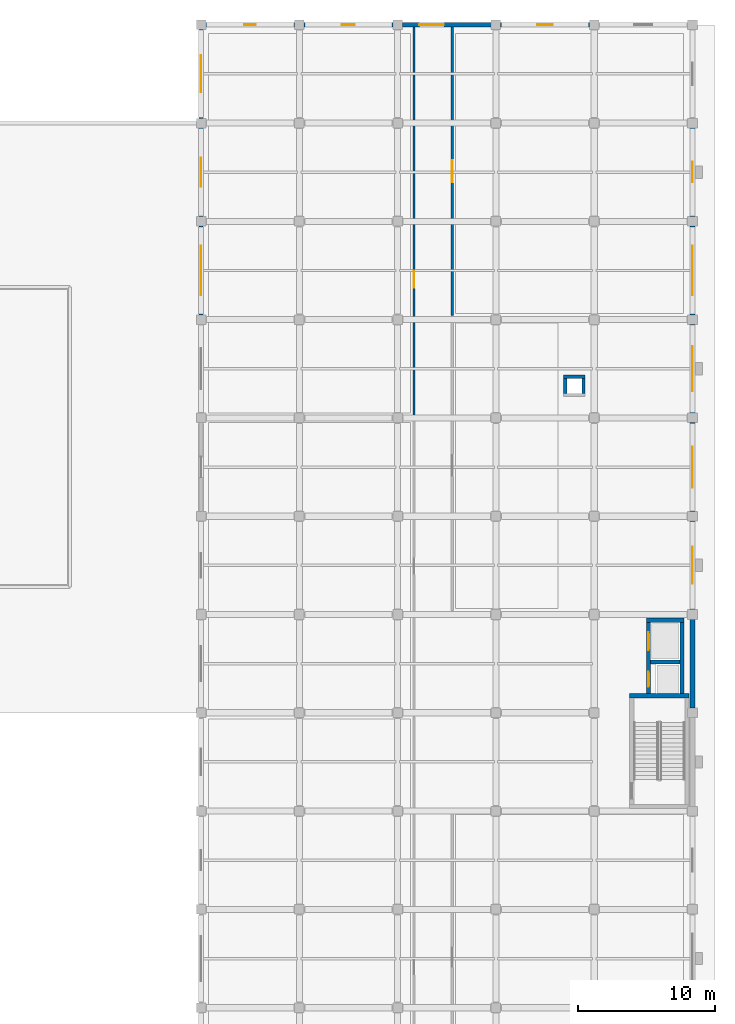
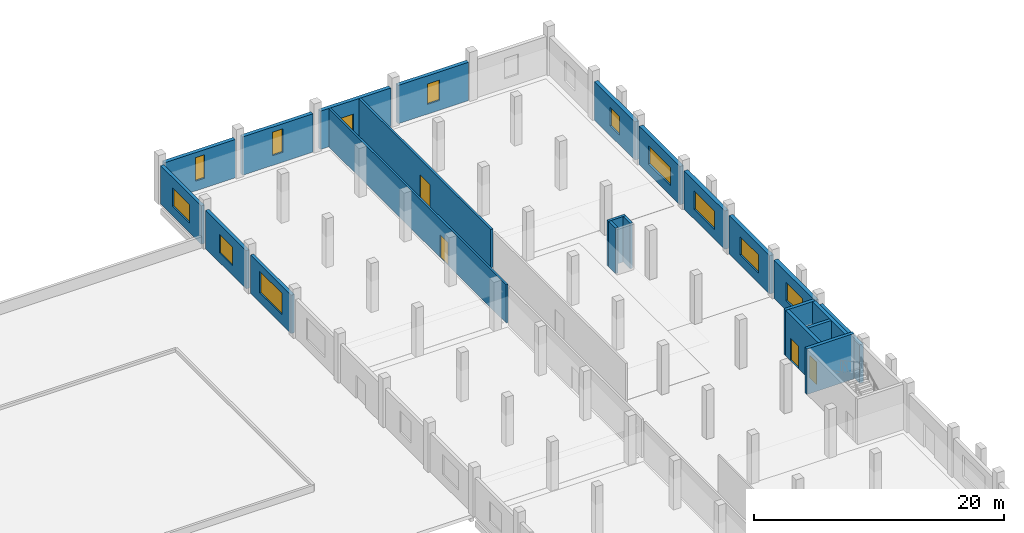
# One storey, part 42 of 59: 23 walls, 11 windows, 5 doors, 16 openings.
"""IFC4 building model written with IfcOpenShell, lengths in metres."""

from ifc_helpers import new_model, si_unit, direction, frame, frame_2d, origin, place, context, subcontext, project, spatial, rectangle, extrude, material, layer, layer_set, type_object, element, fill, save


model = new_model("IFC4")

# Units and contexts
model_context = context("Model", 3, precision=1e-05, world=origin(), true_north=direction((0.0, 1.0)))
body_context = subcontext(model_context, "Body", "Model", "MODEL_VIEW")
ifc_project = project(units=[si_unit("LENGTHUNIT", "METRE"), si_unit("AREAUNIT", "SQUARE_METRE"), si_unit("VOLUMEUNIT", "CUBIC_METRE"), si_unit("PLANEANGLEUNIT", "RADIAN"), si_unit("MASSUNIT", "GRAM", prefix="KILO")], contexts=[model_context])

# Site, building, storey
site_placement = place(None, origin())
site = spatial("IfcSite", under=ifc_project, at=site_placement, CompositionType="ELEMENT")
building_placement = place(site_placement, origin())
building = spatial("IfcBuilding", under=site, at=building_placement, Name="Valkovuoma Quantum and Materials Research Institute", CompositionType="ELEMENT")
storey_placement = place(building_placement, origin())
storey = spatial("IfcBuildingStorey", under=building, at=storey_placement, Name="L00", CompositionType="ELEMENT", Elevation=0.0)

# Walls
ifc_material_1 = material(Name="Concrete C40/50", Category="concrete")
ifc_layer_1 = layer(ifc_material_1, 0.300048828125)
ifc_layer_set_1 = layer_set([ifc_layer_1], Name="Concrete C40/50")
wall_type_1 = type_object("IfcWallType", Name="Wall-W-COR300", PredefinedType="SHEAR", material=ifc_layer_set_1)
wall_1_placement = place(storey_placement, frame((161.0, 66.050048828125, 0.0), z_axis=(0.0, 0.0, 1.0), x_axis=(1.0, 0.0, 0.0)))
element("IfcWall", 1, at=wall_1_placement, inside=storey, type_object=wall_type_1, Name="L00 core wall 0208", PredefinedType="SHEAR", context=body_context, shape_type="SweptSolid", body=[
    extrude(rectangle(XDim=4.35009765625, YDim=0.300048828125, at=frame_2d((2.175048828125, 0.0))), origin(), (0.0, 0.0, 1.0), 4.449951171875),
])
wall_2_placement = place(storey_placement, frame((162.219970703125, 71.580078125, 0.0), z_axis=(0.0, 0.0, 1.0), x_axis=(1.0, 0.0, 0.0)))
element("IfcWall", 2, at=wall_2_placement, inside=storey, type_object=wall_type_1, Name="L00 core wall 0211", PredefinedType="SHEAR", context=body_context, shape_type="SweptSolid", body=[
    extrude(rectangle(XDim=2.760009765625, YDim=0.300048828125, at=frame_2d((1.3798828125, 0.0))), origin(), (0.0, 0.0, 1.0), 4.449951171875),
])
wall_3_placement = place(storey_placement, frame((162.52001953125, 68.52490234375, 0.0), z_axis=(0.0, 0.0, 1.0), x_axis=(1.0, 0.0, 0.0)))
element("IfcWall", 3, at=wall_3_placement, inside=storey, type_object=wall_type_1, Name="L00 core wall 0212", PredefinedType="SHEAR", context=body_context, shape_type="SweptSolid", body=[
    extrude(rectangle(XDim=2.159912109375, YDim=0.300048828125, at=frame_2d((1.080078125, 0.0))), origin(), (0.0, 0.0, 1.0), 4.449951171875),
])

# Wall, openings, doors
wall_4_placement = place(storey_placement, frame((162.3701171875, 66.199951171875, 0.0), z_axis=(0.0, 0.0, 1.0), x_axis=(0.0, 1.0, 0.0)))
wall_4 = element("IfcWall", 4, at=wall_4_placement, inside=storey, type_object=wall_type_1, Name="L00 core wall 0213", PredefinedType="SHEAR", context=body_context, shape_type="SweptSolid", body=[
    extrude(rectangle(XDim=5.22998046875, YDim=0.300048828125, at=frame_2d((2.614990234375, 0.0))), origin(), (0.0, 0.0, 1.0), 4.449951171875),
])
opening_1_placement = place(wall_4_placement, frame((0.5, 0.0, 0.0)))
opening_1 = element("IfcOpeningElement", 5, at=opening_1_placement, cuts=wall_4, Name="Opening LD-036", PredefinedType="OPENING", context=body_context, shape_type="SweptSolid", body=[
    extrude(rectangle(XDim=1.10009765625, YDim=2.199951171875, at=frame_2d((0.550048828125, 1.10009765625))), frame((0.0, 0.16015625, 0.0), z_axis=(0.0, -1.0, 0.0), x_axis=(1.0, 0.0, 0.0)), (0.0, 0.0, 1.0), 0.320068359375),
])
opening_2_placement = place(wall_4_placement, frame((3.199951171875, 0.0, 0.0)))
opening_2 = element("IfcOpeningElement", 6, at=opening_2_placement, cuts=wall_4, Name="Opening LD-037", PredefinedType="OPENING", context=body_context, shape_type="SweptSolid", body=[
    extrude(rectangle(XDim=1.300048828125, YDim=2.199951171875, at=frame_2d((0.64990234375, 1.10009765625))), frame((0.0, 0.16015625, 0.0), z_axis=(0.0, -1.0, 0.0), x_axis=(1.0, 0.0, 0.0)), (0.0, 0.0, 1.0), 0.320068359375),
])
ifc_material_2 = material(Name="Powder-coated steel and acoustic timber door assembly", Category="steel")
door_type_1 = type_object("IfcDoorType", Name="Door-DR-LD01", OperationType="NOTDEFINED", PredefinedType="DOOR", material=ifc_material_2)
door_1_placement = place(opening_1_placement, origin())
door_1 = element("IfcDoor", 7, at=door_1_placement, inside=storey, type_object=door_type_1, Name="L00 LIFT-P3 sliding landing door", OperationType="SLIDING_TO_LEFT", OverallHeight=2.199951171875, OverallWidth=1.10009765625, PredefinedType="DOOR", context=body_context, shape_type="SweptSolid", body=[
    extrude(rectangle(XDim=1.10009765625, YDim=2.199951171875, at=frame_2d((0.550048828125, 1.10009765625))), frame((0.0, 0.02490234375, 0.0), z_axis=(0.0, -1.0, 0.0), x_axis=(1.0, 0.0, 0.0)), (0.0, 0.0, 1.0), 0.050048828125),
])
fill(opening_1, door_1)
ifc_material_3 = material(Name="Powder-coated steel and acoustic timber door assembly", Category="steel")
door_type_2 = type_object("IfcDoorType", Name="Door-DR-LD02", OperationType="NOTDEFINED", PredefinedType="DOOR", material=ifc_material_3)
door_2_placement = place(opening_2_placement, origin())
door_2 = element("IfcDoor", 8, at=door_2_placement, inside=storey, type_object=door_type_2, Name="L00 LIFT-G1 sliding landing door", OperationType="SLIDING_TO_LEFT", OverallHeight=2.199951171875, OverallWidth=1.300048828125, PredefinedType="DOOR", context=body_context, shape_type="SweptSolid", body=[
    extrude(rectangle(XDim=1.300048828125, YDim=2.199951171875, at=frame_2d((0.64990234375, 1.10009765625))), frame((0.0, 0.02490234375, 0.0), z_axis=(0.0, -1.0, 0.0), x_axis=(1.0, 0.0, 0.0)), (0.0, 0.0, 1.0), 0.050048828125),
])
fill(opening_2, door_2)

# Wall
wall_5_placement = place(storey_placement, frame((164.830078125, 66.199951171875, 0.0), z_axis=(0.0, 0.0, 1.0), x_axis=(0.0, 1.0, 0.0)))
element("IfcWall", 9, at=wall_5_placement, inside=storey, type_object=wall_type_1, Name="L00 core wall 0214", PredefinedType="SHEAR", context=body_context, shape_type="SweptSolid", body=[
    extrude(rectangle(XDim=5.22998046875, YDim=0.300048828125, at=frame_2d((2.614990234375, 0.0))), origin(), (0.0, 0.0, 1.0), 4.449951171875),
])

# Wall, opening, window
ifc_material_4 = material(Name="Precast concrete C40/50", Category="concrete")
ifc_layer_2 = layer(ifc_material_4, 0.300048828125)
ifc_layer_set_2 = layer_set([ifc_layer_2], Name="Precast concrete C40/50")
wall_type_2 = type_object("IfcWallType", Name="Wall-W-EXT300", PredefinedType="SOLIDWALL", material=ifc_layer_set_2)
wall_6_placement = place(storey_placement, frame((129.60009765625, 93.93994140625, 0.0), z_axis=(0.0, 0.0, 1.0), x_axis=(0.0, 1.0, 0.0)))
wall_6 = element("IfcWall", 10, at=wall_6_placement, inside=storey, type_object=wall_type_2, Name="L00 exterior wall 0195", PredefinedType="SOLIDWALL", context=body_context, shape_type="SweptSolid", body=[
    extrude(rectangle(XDim=6.52001953125, YDim=0.300048828125, at=frame_2d((3.260009765625, 0.0))), origin(), (0.0, 0.0, 1.0), 3.75),
])
opening_3_placement = place(wall_6_placement, frame((1.4599609375, 0.0, 0.949951171875)))
opening_3 = element("IfcOpeningElement", 11, at=opening_3_placement, cuts=wall_6, Name="Opening WN-WL07", PredefinedType="OPENING", context=body_context, shape_type="SweptSolid", body=[
    extrude(rectangle(XDim=3.60009765625, YDim=2.10009765625, at=frame_2d((1.800048828125, 1.050048828125))), frame((0.0, 0.16015625, 0.0), z_axis=(0.0, -1.0, 0.0), x_axis=(1.0, 0.0, 0.0)), (0.0, 0.0, 1.0), 0.320068359375),
])
ifc_material_5 = material(Name="Triple low-E argon glazing in thermally broken aluminium frame", Category="aluminium")
window_type_1 = type_object("IfcWindowType", Name="Win-WN-WL07", PartitioningType="SINGLE_PANEL", PredefinedType="WINDOW", material=ifc_material_5)
window_1_placement = place(opening_3_placement, origin())
window_1 = element("IfcWindow", 12, at=window_1_placement, inside=storey, type_object=window_type_1, Name="L00 window 0223", OverallHeight=2.10009765625, OverallWidth=3.60009765625, PartitioningType="SINGLE_PANEL", PredefinedType="WINDOW", context=body_context, shape_type="SweptSolid", body=[
    extrude(rectangle(XDim=3.60009765625, YDim=2.10009765625, at=frame_2d((1.800048828125, 1.050048828125))), frame((0.0, 0.030029296875, 0.0), z_axis=(0.0, -1.0, 0.0), x_axis=(1.0, 0.0, 0.0)), (0.0, 0.0, 1.0), 0.06005859375),
])
fill(opening_3, window_1)

wall_7_placement = place(storey_placement, frame((129.60009765625, 101.139892578125, 0.0), z_axis=(0.0, 0.0, 1.0), x_axis=(0.0, 1.0, 0.0)))
wall_7 = element("IfcWall", 13, at=wall_7_placement, inside=storey, type_object=wall_type_2, Name="L00 exterior wall 0196", PredefinedType="SOLIDWALL", context=body_context, shape_type="SweptSolid", body=[
    extrude(rectangle(XDim=6.52001953125, YDim=0.300048828125, at=frame_2d((3.260009765625, 0.0))), origin(), (0.0, 0.0, 1.0), 3.75),
])
opening_4_placement = place(wall_7_placement, frame((2.2099609375, 0.0, 0.949951171875)))
opening_4 = element("IfcOpeningElement", 14, at=opening_4_placement, cuts=wall_7, Name="Opening WN-WL09", PredefinedType="OPENING", context=body_context, shape_type="SweptSolid", body=[
    extrude(rectangle(XDim=2.10009765625, YDim=1.800048828125, at=frame_2d((1.050048828125, 0.89990234375))), frame((0.0, 0.16015625, 0.0), z_axis=(0.0, -1.0, 0.0), x_axis=(1.0, 0.0, 0.0)), (0.0, 0.0, 1.0), 0.320068359375),
])
ifc_material_6 = material(Name="Triple low-E argon glazing in thermally broken aluminium frame", Category="aluminium")
window_type_2 = type_object("IfcWindowType", Name="Win-WN-WL09", PartitioningType="SINGLE_PANEL", PredefinedType="WINDOW", material=ifc_material_6)
window_2_placement = place(opening_4_placement, origin())
window_2 = element("IfcWindow", 15, at=window_2_placement, inside=storey, type_object=window_type_2, Name="L00 window 0224", OverallHeight=1.800048828125, OverallWidth=2.10009765625, PartitioningType="SINGLE_PANEL", PredefinedType="WINDOW", context=body_context, shape_type="SweptSolid", body=[
    extrude(rectangle(XDim=2.10009765625, YDim=1.800048828125, at=frame_2d((1.050048828125, 0.89990234375))), frame((0.0, 0.030029296875, 0.0), z_axis=(0.0, -1.0, 0.0), x_axis=(1.0, 0.0, 0.0)), (0.0, 0.0, 1.0), 0.06005859375),
])
fill(opening_4, window_2)

wall_8_placement = place(storey_placement, frame((129.60009765625, 108.340087890625, 0.0), z_axis=(0.0, 0.0, 1.0), x_axis=(0.0, 1.0, 0.0)))
wall_8 = element("IfcWall", 16, at=wall_8_placement, inside=storey, type_object=wall_type_2, Name="L00 exterior wall 0197", PredefinedType="SOLIDWALL", context=body_context, shape_type="SweptSolid", body=[
    extrude(rectangle(XDim=6.52001953125, YDim=0.300048828125, at=frame_2d((3.260009765625, 0.0))), origin(), (0.0, 0.0, 1.0), 3.75),
])
opening_5_placement = place(wall_8_placement, frame((1.909912109375, 0.0, 0.949951171875)))
opening_5 = element("IfcOpeningElement", 17, at=opening_5_placement, cuts=wall_8, Name="Opening WN-WL11", PredefinedType="OPENING", context=body_context, shape_type="SweptSolid", body=[
    extrude(rectangle(XDim=2.699951171875, YDim=1.800048828125, at=frame_2d((1.35009765625, 0.89990234375))), frame((0.0, 0.16015625, 0.0), z_axis=(0.0, -1.0, 0.0), x_axis=(1.0, 0.0, 0.0)), (0.0, 0.0, 1.0), 0.320068359375),
])
ifc_material_7 = material(Name="Triple low-E argon glazing in thermally broken aluminium frame", Category="aluminium")
window_type_3 = type_object("IfcWindowType", Name="Win-WN-WL11", PartitioningType="SINGLE_PANEL", PredefinedType="WINDOW", material=ifc_material_7)
window_3_placement = place(opening_5_placement, origin())
window_3 = element("IfcWindow", 18, at=window_3_placement, inside=storey, type_object=window_type_3, Name="L00 window 0225", OverallHeight=1.800048828125, OverallWidth=2.699951171875, PartitioningType="SINGLE_PANEL", PredefinedType="WINDOW", context=body_context, shape_type="SweptSolid", body=[
    extrude(rectangle(XDim=2.699951171875, YDim=1.800048828125, at=frame_2d((1.35009765625, 0.89990234375))), frame((0.0, 0.030029296875, 0.0), z_axis=(0.0, -1.0, 0.0), x_axis=(1.0, 0.0, 0.0)), (0.0, 0.0, 1.0), 0.06005859375),
])
fill(opening_5, window_3)

ifc_material_8 = material(Name="Precast concrete C40/50", Category="concrete")
ifc_layer_3 = layer(ifc_material_8, 0.340087890625)
ifc_layer_set_3 = layer_set([ifc_layer_3], Name="Precast concrete C40/50")
wall_type_3 = type_object("IfcWallType", Name="Wall-W-EXT340", PredefinedType="SOLIDWALL", material=ifc_layer_set_3)
wall_9_placement = place(storey_placement, frame((129.93994140625, 115.199951171875, 0.0), z_axis=(0.0, 0.0, 1.0), x_axis=(1.0, 0.0, 0.0)))
wall_9 = element("IfcWall", 19, at=wall_9_placement, inside=storey, type_object=wall_type_3, Name="L00 exterior wall 0182", PredefinedType="SOLIDWALL", context=body_context, shape_type="SweptSolid", body=[
    extrude(rectangle(XDim=6.52001953125, YDim=0.340087890625, at=frame_2d((3.260009765625, 0.0))), origin(), (0.0, 0.0, 1.0), 3.75),
])
opening_6_placement = place(wall_9_placement, frame((2.8349609375, 0.0, 0.949951171875)))
opening_6 = element("IfcOpeningElement", 20, at=opening_6_placement, cuts=wall_9, Name="Opening WN-EX03", PredefinedType="OPENING", context=body_context, shape_type="SweptSolid", body=[
    extrude(rectangle(XDim=0.85009765625, YDim=2.300048828125, at=frame_2d((0.425048828125, 1.14990234375))), frame((0.0, 0.18017578125, 0.0), z_axis=(0.0, -1.0, 0.0), x_axis=(1.0, 0.0, 0.0)), (0.0, 0.0, 1.0), 0.360107421875),
])
ifc_material_9 = material(Name="Triple low-E argon glazing in thermally broken aluminium frame", Category="aluminium")
window_type_4 = type_object("IfcWindowType", Name="Win-WN-EX03", PartitioningType="SINGLE_PANEL", PredefinedType="WINDOW", material=ifc_material_9)
window_4_placement = place(opening_6_placement, origin())
window_4 = element("IfcWindow", 21, at=window_4_placement, inside=storey, type_object=window_type_4, Name="L00 window 0212", OverallHeight=2.300048828125, OverallWidth=0.85009765625, PartitioningType="SINGLE_PANEL", PredefinedType="WINDOW", context=body_context, shape_type="SweptSolid", body=[
    extrude(rectangle(XDim=0.85009765625, YDim=2.300048828125, at=frame_2d((0.425048828125, 1.14990234375))), frame((0.0, 0.030029296875, 0.0), z_axis=(0.0, -1.0, 0.0), x_axis=(1.0, 0.0, 0.0)), (0.0, 0.0, 1.0), 0.06005859375),
])
fill(opening_6, window_4)

wall_10_placement = place(storey_placement, frame((137.139892578125, 115.199951171875, 0.0), z_axis=(0.0, 0.0, 1.0), x_axis=(1.0, 0.0, 0.0)))
wall_10 = element("IfcWall", 22, at=wall_10_placement, inside=storey, type_object=wall_type_3, Name="L00 exterior wall 0183", PredefinedType="SOLIDWALL", context=body_context, shape_type="SweptSolid", body=[
    extrude(rectangle(XDim=6.52001953125, YDim=0.340087890625, at=frame_2d((3.260009765625, 0.0))), origin(), (0.0, 0.0, 1.0), 3.75),
])
opening_7_placement = place(wall_10_placement, frame((2.784912109375, 0.0, 0.949951171875)))
opening_7 = element("IfcOpeningElement", 23, at=opening_7_placement, cuts=wall_10, Name="Opening WN-EX04", PredefinedType="OPENING", context=body_context, shape_type="SweptSolid", body=[
    extrude(rectangle(XDim=0.949951171875, YDim=2.300048828125, at=frame_2d((0.47509765625, 1.14990234375))), frame((0.0, 0.18017578125, 0.0), z_axis=(0.0, -1.0, 0.0), x_axis=(1.0, 0.0, 0.0)), (0.0, 0.0, 1.0), 0.360107421875),
])
ifc_material_10 = material(Name="Triple low-E argon glazing in thermally broken aluminium frame", Category="aluminium")
window_type_5 = type_object("IfcWindowType", Name="Win-WN-EX04", PartitioningType="SINGLE_PANEL", PredefinedType="WINDOW", material=ifc_material_10)
window_5_placement = place(opening_7_placement, origin())
window_5 = element("IfcWindow", 24, at=window_5_placement, inside=storey, type_object=window_type_5, Name="L00 window 0213", OverallHeight=2.300048828125, OverallWidth=0.949951171875, PartitioningType="SINGLE_PANEL", PredefinedType="WINDOW", context=body_context, shape_type="SweptSolid", body=[
    extrude(rectangle(XDim=0.949951171875, YDim=2.300048828125, at=frame_2d((0.47509765625, 1.14990234375))), frame((0.0, 0.030029296875, 0.0), z_axis=(0.0, -1.0, 0.0), x_axis=(1.0, 0.0, 0.0)), (0.0, 0.0, 1.0), 0.06005859375),
])
fill(opening_7, window_5)

# Wall, opening, door
wall_11_placement = place(storey_placement, frame((144.340087890625, 115.199951171875, 0.0), z_axis=(0.0, 0.0, 1.0), x_axis=(1.0, 0.0, 0.0)))
wall_11 = element("IfcWall", 25, at=wall_11_placement, inside=storey, type_object=wall_type_3, Name="L00 exterior wall 0184", PredefinedType="SOLIDWALL", context=body_context, shape_type="SweptSolid", body=[
    extrude(rectangle(XDim=6.52001953125, YDim=0.340087890625, at=frame_2d((3.260009765625, 0.0))), origin(), (0.0, 0.0, 1.0), 3.75),
])
opening_8_placement = place(wall_11_placement, frame((1.25, 0.0, 0.0)))
opening_8 = element("IfcOpeningElement", 26, at=opening_8_placement, cuts=wall_11, Name="Opening ED-026", PredefinedType="OPENING", context=body_context, shape_type="SweptSolid", body=[
    extrude(rectangle(XDim=1.800048828125, YDim=2.39990234375, at=frame_2d((0.89990234375, 1.199951171875))), frame((0.0, 0.18017578125, 0.0), z_axis=(0.0, -1.0, 0.0), x_axis=(1.0, 0.0, 0.0)), (0.0, 0.0, 1.0), 0.360107421875),
])
ifc_material_11 = material(Name="Thermally broken insulated aluminium and steel door", Category="steel")
door_type_3 = type_object("IfcDoorType", Name="Door-DR-EX02", OperationType="NOTDEFINED", PredefinedType="DOOR", material=ifc_material_11)
door_3_placement = place(opening_8_placement, origin())
door_3 = element("IfcDoor", 27, at=door_3_placement, inside=storey, type_object=door_type_3, Name="L00 exterior door 026", OperationType="DOUBLE_DOOR_SINGLE_SWING", OverallHeight=2.39990234375, OverallWidth=1.800048828125, PredefinedType="DOOR", context=body_context, shape_type="SweptSolid", body=[
    extrude(rectangle(XDim=1.800048828125, YDim=2.39990234375, at=frame_2d((0.89990234375, 1.199951171875))), frame((0.0, 0.02490234375, 0.0), z_axis=(0.0, -1.0, 0.0), x_axis=(1.0, 0.0, 0.0)), (0.0, 0.0, 1.0), 0.050048828125),
])
fill(opening_8, door_3)

# Wall, opening, window
wall_12_placement = place(storey_placement, frame((151.5400390625, 115.199951171875, 0.0), z_axis=(0.0, 0.0, 1.0), x_axis=(1.0, 0.0, 0.0)))
wall_12 = element("IfcWall", 28, at=wall_12_placement, inside=storey, type_object=wall_type_3, Name="L00 exterior wall 0185", PredefinedType="SOLIDWALL", context=body_context, shape_type="SweptSolid", body=[
    extrude(rectangle(XDim=6.52001953125, YDim=0.340087890625, at=frame_2d((3.260009765625, 0.0))), origin(), (0.0, 0.0, 1.0), 3.75),
])
opening_9_placement = place(wall_12_placement, frame((2.68505859375, 0.0, 0.949951171875)))
opening_9 = element("IfcOpeningElement", 29, at=opening_9_placement, cuts=wall_12, Name="Opening WN-EX06", PredefinedType="OPENING", context=body_context, shape_type="SweptSolid", body=[
    extrude(rectangle(XDim=1.14990234375, YDim=2.0, at=frame_2d((0.574951171875, 1.0))), frame((0.0, 0.18017578125, 0.0), z_axis=(0.0, -1.0, 0.0), x_axis=(1.0, 0.0, 0.0)), (0.0, 0.0, 1.0), 0.360107421875),
])
ifc_material_12 = material(Name="Triple low-E argon glazing in thermally broken aluminium frame", Category="aluminium")
window_type_6 = type_object("IfcWindowType", Name="Win-WN-EX06", PartitioningType="SINGLE_PANEL", PredefinedType="WINDOW", material=ifc_material_12)
window_6_placement = place(opening_9_placement, origin())
window_6 = element("IfcWindow", 30, at=window_6_placement, inside=storey, type_object=window_type_6, Name="L00 window 0214", OverallHeight=2.0, OverallWidth=1.14990234375, PartitioningType="SINGLE_PANEL", PredefinedType="WINDOW", context=body_context, shape_type="SweptSolid", body=[
    extrude(rectangle(XDim=1.14990234375, YDim=2.0, at=frame_2d((0.574951171875, 1.0))), frame((0.0, 0.030029296875, 0.0), z_axis=(0.0, -1.0, 0.0), x_axis=(1.0, 0.0, 0.0)), (0.0, 0.0, 1.0), 0.06005859375),
])
fill(opening_9, window_6)

# Wall
ifc_material_13 = material(Name="Precast concrete C40/50", Category="concrete")
ifc_layer_4 = layer(ifc_material_13, 0.360107421875)
ifc_layer_set_4 = layer_set([ifc_layer_4], Name="Precast concrete C40/50")
wall_type_4 = type_object("IfcWallType", Name="Wall-W-EXT360", PredefinedType="SOLIDWALL", material=ifc_layer_set_4)
wall_13_placement = place(storey_placement, frame((165.60009765625, 65.139892578125, 0.0), z_axis=(0.0, 0.0, 1.0), x_axis=(0.0, 1.0, 0.0)))
element("IfcWall", 31, at=wall_13_placement, inside=storey, type_object=wall_type_4, Name="L00 exterior wall 0175", PredefinedType="SOLIDWALL", context=body_context, shape_type="SweptSolid", body=[
    extrude(rectangle(XDim=6.52001953125, YDim=0.360107421875, at=frame_2d((3.260009765625, 0.0))), origin(), (0.0, 0.0, 1.0), 3.75),
])

# Wall, opening, window
wall_14_placement = place(storey_placement, frame((165.60009765625, 72.340087890625, 0.0), z_axis=(0.0, 0.0, 1.0), x_axis=(0.0, 1.0, 0.0)))
wall_14 = element("IfcWall", 32, at=wall_14_placement, inside=storey, type_object=wall_type_4, Name="L00 exterior wall 0176", PredefinedType="SOLIDWALL", context=body_context, shape_type="SweptSolid", body=[
    extrude(rectangle(XDim=6.52001953125, YDim=0.360107421875, at=frame_2d((3.260009765625, 0.0))), origin(), (0.0, 0.0, 1.0), 3.75),
])
opening_10_placement = place(wall_14_placement, frame((1.909912109375, 0.0, 0.949951171875)))
opening_10 = element("IfcOpeningElement", 33, at=opening_10_placement, cuts=wall_14, Name="Opening WN-WL11", PredefinedType="OPENING", context=body_context, shape_type="SweptSolid", body=[
    extrude(rectangle(XDim=2.699951171875, YDim=1.800048828125, at=frame_2d((1.35009765625, 0.89990234375))), frame((0.0, 0.18994140625, 0.0), z_axis=(0.0, -1.0, 0.0), x_axis=(1.0, 0.0, 0.0)), (0.0, 0.0, 1.0), 0.380126953125),
])
window_7_placement = place(opening_10_placement, origin())
window_7 = element("IfcWindow", 34, at=window_7_placement, inside=storey, type_object=window_type_3, Name="L00 window 0206", OverallHeight=1.800048828125, OverallWidth=2.699951171875, PartitioningType="SINGLE_PANEL", PredefinedType="WINDOW", context=body_context, shape_type="SweptSolid", body=[
    extrude(rectangle(XDim=2.699951171875, YDim=1.800048828125, at=frame_2d((1.35009765625, 0.89990234375))), frame((0.0, 0.030029296875, 0.0), z_axis=(0.0, -1.0, 0.0), x_axis=(1.0, 0.0, 0.0)), (0.0, 0.0, 1.0), 0.06005859375),
])
fill(opening_10, window_7)

wall_15_placement = place(storey_placement, frame((165.60009765625, 79.5400390625, 0.0), z_axis=(0.0, 0.0, 1.0), x_axis=(0.0, 1.0, 0.0)))
wall_15 = element("IfcWall", 35, at=wall_15_placement, inside=storey, type_object=wall_type_4, Name="L00 exterior wall 0177", PredefinedType="SOLIDWALL", context=body_context, shape_type="SweptSolid", body=[
    extrude(rectangle(XDim=6.52001953125, YDim=0.360107421875, at=frame_2d((3.260009765625, 0.0))), origin(), (0.0, 0.0, 1.0), 3.75),
])
opening_11_placement = place(wall_15_placement, frame((1.760009765625, 0.0, 0.949951171875)))
opening_11 = element("IfcOpeningElement", 36, at=opening_11_placement, cuts=wall_15, Name="Opening WN-WL12", PredefinedType="OPENING", context=body_context, shape_type="SweptSolid", body=[
    extrude(rectangle(XDim=3.0, YDim=1.800048828125, at=frame_2d((1.5, 0.89990234375))), frame((0.0, 0.18994140625, 0.0), z_axis=(0.0, -1.0, 0.0), x_axis=(1.0, 0.0, 0.0)), (0.0, 0.0, 1.0), 0.380126953125),
])
ifc_material_14 = material(Name="Triple low-E argon glazing in thermally broken aluminium frame", Category="aluminium")
window_type_7 = type_object("IfcWindowType", Name="Win-WN-WL12", PartitioningType="SINGLE_PANEL", PredefinedType="WINDOW", material=ifc_material_14)
window_8_placement = place(opening_11_placement, origin())
window_8 = element("IfcWindow", 37, at=window_8_placement, inside=storey, type_object=window_type_7, Name="L00 window 0207", OverallHeight=1.800048828125, OverallWidth=3.0, PartitioningType="SINGLE_PANEL", PredefinedType="WINDOW", context=body_context, shape_type="SweptSolid", body=[
    extrude(rectangle(XDim=3.0, YDim=1.800048828125, at=frame_2d((1.5, 0.89990234375))), frame((0.0, 0.030029296875, 0.0), z_axis=(0.0, -1.0, 0.0), x_axis=(1.0, 0.0, 0.0)), (0.0, 0.0, 1.0), 0.06005859375),
])
fill(opening_11, window_8)

wall_16_placement = place(storey_placement, frame((165.60009765625, 86.739990234375, 0.0), z_axis=(0.0, 0.0, 1.0), x_axis=(0.0, 1.0, 0.0)))
wall_16 = element("IfcWall", 38, at=wall_16_placement, inside=storey, type_object=wall_type_4, Name="L00 exterior wall 0178", PredefinedType="SOLIDWALL", context=body_context, shape_type="SweptSolid", body=[
    extrude(rectangle(XDim=6.52001953125, YDim=0.360107421875, at=frame_2d((3.260009765625, 0.0))), origin(), (0.0, 0.0, 1.0), 3.75),
])
opening_12_placement = place(wall_16_placement, frame((1.610107421875, 0.0, 0.949951171875)))
opening_12 = element("IfcOpeningElement", 39, at=opening_12_placement, cuts=wall_16, Name="Opening WN-WL13", PredefinedType="OPENING", context=body_context, shape_type="SweptSolid", body=[
    extrude(rectangle(XDim=3.300048828125, YDim=1.800048828125, at=frame_2d((1.64990234375, 0.89990234375))), frame((0.0, 0.18994140625, 0.0), z_axis=(0.0, -1.0, 0.0), x_axis=(1.0, 0.0, 0.0)), (0.0, 0.0, 1.0), 0.380126953125),
])
ifc_material_15 = material(Name="Triple low-E argon glazing in thermally broken aluminium frame", Category="aluminium")
window_type_8 = type_object("IfcWindowType", Name="Win-WN-WL13", PartitioningType="SINGLE_PANEL", PredefinedType="WINDOW", material=ifc_material_15)
window_9_placement = place(opening_12_placement, origin())
window_9 = element("IfcWindow", 40, at=window_9_placement, inside=storey, type_object=window_type_8, Name="L00 window 0208", OverallHeight=1.800048828125, OverallWidth=3.300048828125, PartitioningType="SINGLE_PANEL", PredefinedType="WINDOW", context=body_context, shape_type="SweptSolid", body=[
    extrude(rectangle(XDim=3.300048828125, YDim=1.800048828125, at=frame_2d((1.64990234375, 0.89990234375))), frame((0.0, 0.030029296875, 0.0), z_axis=(0.0, -1.0, 0.0), x_axis=(1.0, 0.0, 0.0)), (0.0, 0.0, 1.0), 0.06005859375),
])
fill(opening_12, window_9)

wall_17_placement = place(storey_placement, frame((165.60009765625, 93.93994140625, 0.0), z_axis=(0.0, 0.0, 1.0), x_axis=(0.0, 1.0, 0.0)))
wall_17 = element("IfcWall", 41, at=wall_17_placement, inside=storey, type_object=wall_type_4, Name="L00 exterior wall 0179", PredefinedType="SOLIDWALL", context=body_context, shape_type="SweptSolid", body=[
    extrude(rectangle(XDim=6.52001953125, YDim=0.360107421875, at=frame_2d((3.260009765625, 0.0))), origin(), (0.0, 0.0, 1.0), 3.75),
])
opening_13_placement = place(wall_17_placement, frame((1.4599609375, 0.0, 0.949951171875)))
opening_13 = element("IfcOpeningElement", 42, at=opening_13_placement, cuts=wall_17, Name="Opening WN-WL14", PredefinedType="OPENING", context=body_context, shape_type="SweptSolid", body=[
    extrude(rectangle(XDim=3.60009765625, YDim=1.800048828125, at=frame_2d((1.800048828125, 0.89990234375))), frame((0.0, 0.18994140625, 0.0), z_axis=(0.0, -1.0, 0.0), x_axis=(1.0, 0.0, 0.0)), (0.0, 0.0, 1.0), 0.380126953125),
])
ifc_material_16 = material(Name="Triple low-E argon glazing in thermally broken aluminium frame", Category="aluminium")
window_type_9 = type_object("IfcWindowType", Name="Win-WN-WL14", PartitioningType="SINGLE_PANEL", PredefinedType="WINDOW", material=ifc_material_16)
window_10_placement = place(opening_13_placement, origin())
window_10 = element("IfcWindow", 43, at=window_10_placement, inside=storey, type_object=window_type_9, Name="L00 window 0209", OverallHeight=1.800048828125, OverallWidth=3.60009765625, PartitioningType="SINGLE_PANEL", PredefinedType="WINDOW", context=body_context, shape_type="SweptSolid", body=[
    extrude(rectangle(XDim=3.60009765625, YDim=1.800048828125, at=frame_2d((1.800048828125, 0.89990234375))), frame((0.0, 0.030029296875, 0.0), z_axis=(0.0, -1.0, 0.0), x_axis=(1.0, 0.0, 0.0)), (0.0, 0.0, 1.0), 0.06005859375),
])
fill(opening_13, window_10)

wall_18_placement = place(storey_placement, frame((165.60009765625, 101.139892578125, 0.0), z_axis=(0.0, 0.0, 1.0), x_axis=(0.0, 1.0, 0.0)))
wall_18 = element("IfcWall", 44, at=wall_18_placement, inside=storey, type_object=wall_type_4, Name="L00 exterior wall 0180", PredefinedType="SOLIDWALL", context=body_context, shape_type="SweptSolid", body=[
    extrude(rectangle(XDim=6.52001953125, YDim=0.360107421875, at=frame_2d((3.260009765625, 0.0))), origin(), (0.0, 0.0, 1.0), 3.75),
])
opening_14_placement = place(wall_18_placement, frame((2.510009765625, 0.0, 0.949951171875)))
opening_14 = element("IfcOpeningElement", 45, at=opening_14_placement, cuts=wall_18, Name="Opening WN-WL15", PredefinedType="OPENING", context=body_context, shape_type="SweptSolid", body=[
    extrude(rectangle(XDim=1.5, YDim=1.800048828125, at=frame_2d((0.75, 0.89990234375))), frame((0.0, 0.18994140625, 0.0), z_axis=(0.0, -1.0, 0.0), x_axis=(1.0, 0.0, 0.0)), (0.0, 0.0, 1.0), 0.380126953125),
])
ifc_material_17 = material(Name="Triple low-E argon glazing in thermally broken aluminium frame", Category="aluminium")
window_type_10 = type_object("IfcWindowType", Name="Win-WN-WL15", PartitioningType="SINGLE_PANEL", PredefinedType="WINDOW", material=ifc_material_17)
window_11_placement = place(opening_14_placement, origin())
window_11 = element("IfcWindow", 46, at=window_11_placement, inside=storey, type_object=window_type_10, Name="L00 window 0210", OverallHeight=1.800048828125, OverallWidth=1.5, PartitioningType="SINGLE_PANEL", PredefinedType="WINDOW", context=body_context, shape_type="SweptSolid", body=[
    extrude(rectangle(XDim=1.5, YDim=1.800048828125, at=frame_2d((0.75, 0.89990234375))), frame((0.0, 0.030029296875, 0.0), z_axis=(0.0, -1.0, 0.0), x_axis=(1.0, 0.0, 0.0)), (0.0, 0.0, 1.0), 0.06005859375),
])
fill(opening_14, window_11)

# Wall, opening, door
ifc_material_18 = material(Name="Laboratory fire-rated gypsum partition", Category="masonry")
ifc_layer_5 = layer(ifc_material_18, 0.179931640625)
ifc_layer_set_5 = layer_set([ifc_layer_5], Name="Laboratory fire-rated gypsum partition")
wall_type_5 = type_object("IfcWallType", Name="Wall-W-PRT180", PredefinedType="PARTITIONING", material=ifc_layer_set_5)
wall_19_placement = place(storey_placement, frame((145.199951171875, 86.590087890625, 0.0), z_axis=(0.0, 0.0, 1.0), x_axis=(0.0, 1.0, 0.0)))
wall_19 = element("IfcWall", 47, at=wall_19_placement, inside=storey, type_object=wall_type_5, Name="L00 partition 0052", PredefinedType="PARTITIONING", context=body_context, shape_type="SweptSolid", body=[
    extrude(rectangle(XDim=28.43994140625, YDim=0.179931640625, at=frame_2d((14.219970703125, 0.0))), origin(), (0.0, 0.0, 1.0), 3.75),
])
opening_15_placement = place(wall_19_placement, frame((9.3291015625, 0.0, 0.0)))
opening_15 = element("IfcOpeningElement", 48, at=opening_15_placement, cuts=wall_19, Name="Opening ID-0039", PredefinedType="OPENING", context=body_context, shape_type="SweptSolid", body=[
    extrude(rectangle(XDim=1.25, YDim=2.199951171875, at=frame_2d((0.625, 1.10009765625))), frame((0.0, 0.10009765625, 0.0), z_axis=(0.0, -1.0, 0.0), x_axis=(1.0, 0.0, 0.0)), (0.0, 0.0, 1.0), 0.199951171875),
])
ifc_material_19 = material(Name="Powder-coated steel and acoustic timber door assembly", Category="steel")
door_type_4 = type_object("IfcDoorType", Name="Door-DR-LB03", OperationType="NOTDEFINED", PredefinedType="DOOR", material=ifc_material_19)
door_4_placement = place(opening_15_placement, origin())
door_4 = element("IfcDoor", 49, at=door_4_placement, inside=storey, type_object=door_type_4, Name="L00 room door 0039", OperationType="SINGLE_SWING_RIGHT", OverallHeight=2.199951171875, OverallWidth=1.25, PredefinedType="DOOR", context=body_context, shape_type="SweptSolid", body=[
    extrude(rectangle(XDim=1.25, YDim=2.199951171875, at=frame_2d((0.625, 1.10009765625))), frame((0.0, 0.02490234375, 0.0), z_axis=(0.0, -1.0, 0.0), x_axis=(1.0, 0.0, 0.0)), (0.0, 0.0, 1.0), 0.050048828125),
])
fill(opening_15, door_4)

ifc_material_20 = material(Name="Acoustic double-stud gypsum and mineral wool partition", Category="masonry")
ifc_layer_6 = layer(ifc_material_20, 0.199951171875)
ifc_layer_set_6 = layer_set([ifc_layer_6], Name="Acoustic double-stud gypsum and mineral wool partition")
wall_type_6 = type_object("IfcWallType", Name="Wall-W-PRT200", PredefinedType="PARTITIONING", material=ifc_layer_set_6)
wall_20_placement = place(storey_placement, frame((148.0, 93.89990234375, 0.0), z_axis=(0.0, 0.0, 1.0), x_axis=(0.0, 1.0, 0.0)))
wall_20 = element("IfcWall", 50, at=wall_20_placement, inside=storey, type_object=wall_type_6, Name="L00 partition 0055", PredefinedType="PARTITIONING", context=body_context, shape_type="SweptSolid", body=[
    extrude(rectangle(XDim=21.130126953125, YDim=0.199951171875, at=frame_2d((10.56494140625, 0.0))), origin(), (0.0, 0.0, 1.0), 3.75),
])
opening_16_placement = place(wall_20_placement, frame((9.764892578125, 0.0, 0.0)))
opening_16 = element("IfcOpeningElement", 51, at=opening_16_placement, cuts=wall_20, Name="Opening ID-0042", PredefinedType="OPENING", context=body_context, shape_type="SweptSolid", body=[
    extrude(rectangle(XDim=1.60009765625, YDim=2.25, at=frame_2d((0.800048828125, 1.125))), frame((0.0, 0.10986328125, 0.0), z_axis=(0.0, -1.0, 0.0), x_axis=(1.0, 0.0, 0.0)), (0.0, 0.0, 1.0), 0.219970703125),
])
ifc_material_21 = material(Name="Powder-coated steel and acoustic timber door assembly", Category="steel")
door_type_5 = type_object("IfcDoorType", Name="Door-DR-LB06", OperationType="NOTDEFINED", PredefinedType="DOOR", material=ifc_material_21)
door_5_placement = place(opening_16_placement, origin())
door_5 = element("IfcDoor", 52, at=door_5_placement, inside=storey, type_object=door_type_5, Name="L00 room door 0042", OperationType="DOUBLE_DOOR_SINGLE_SWING", OverallHeight=2.25, OverallWidth=1.60009765625, PredefinedType="DOOR", context=body_context, shape_type="SweptSolid", body=[
    extrude(rectangle(XDim=1.60009765625, YDim=2.25, at=frame_2d((0.800048828125, 1.125))), frame((0.0, 0.02490234375, 0.0), z_axis=(0.0, -1.0, 0.0), x_axis=(1.0, 0.0, 0.0)), (0.0, 0.0, 1.0), 0.050048828125),
])
fill(opening_16, door_5)

# Walls
ifc_material_22 = material(Name="Concrete C40/50", Category="concrete")
ifc_layer_7 = layer(ifc_material_22, 0.239990234375)
ifc_layer_set_7 = layer_set([ifc_layer_7], Name="Concrete C40/50")
wall_type_7 = type_object("IfcWallType", Name="Wall-W-SHF240", PredefinedType="SOLIDWALL", material=ifc_layer_set_7)
wall_21_placement = place(storey_placement, frame((156.159912109375, 89.419921875, 0.0), z_axis=(0.0, 0.0, 1.0), x_axis=(1.0, 0.0, 0.0)))
element("IfcWall", 53, at=wall_21_placement, inside=storey, type_object=wall_type_7, Name="L00 core wall 0322", PredefinedType="SOLIDWALL", context=body_context, shape_type="SweptSolid", body=[
    extrude(rectangle(XDim=1.580078125, YDim=0.239990234375, at=frame_2d((0.7900390625, 0.0))), origin(), (0.0, 0.0, 1.0), 4.449951171875),
])
for number, where, z_axis, x_axis, name in (
    (54, (156.280029296875, 88.199951171875, 0.0), (0.0, 0.0, 1.0), (0.0, 1.0, 0.0), "L00 core wall 0323"),
    (55, (157.6201171875, 88.199951171875, 0.0), (0.0, 0.0, 1.0), (0.0, 1.0, 0.0), "L00 core wall 0324"),
):
    element("IfcWall", number, at=place(storey_placement, frame(where, z_axis=z_axis, x_axis=x_axis)), inside=storey, type_object=wall_type_7, Name=name, PredefinedType="SOLIDWALL", context=body_context, shape_type="SweptSolid", body=[
        extrude(rectangle(XDim=1.10009765625, YDim=0.239990234375, at=frame_2d((0.550048828125, 0.0))), origin(), (0.0, 0.0, 1.0), 4.449951171875),
    ])

save(model, "model.ifc")
